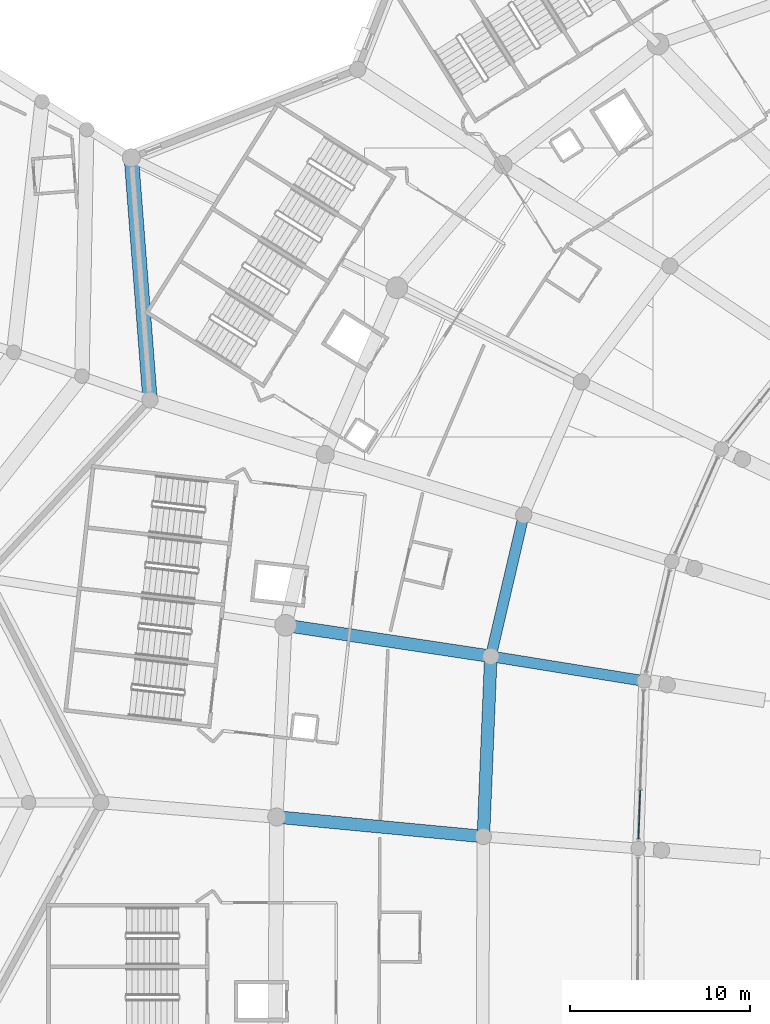
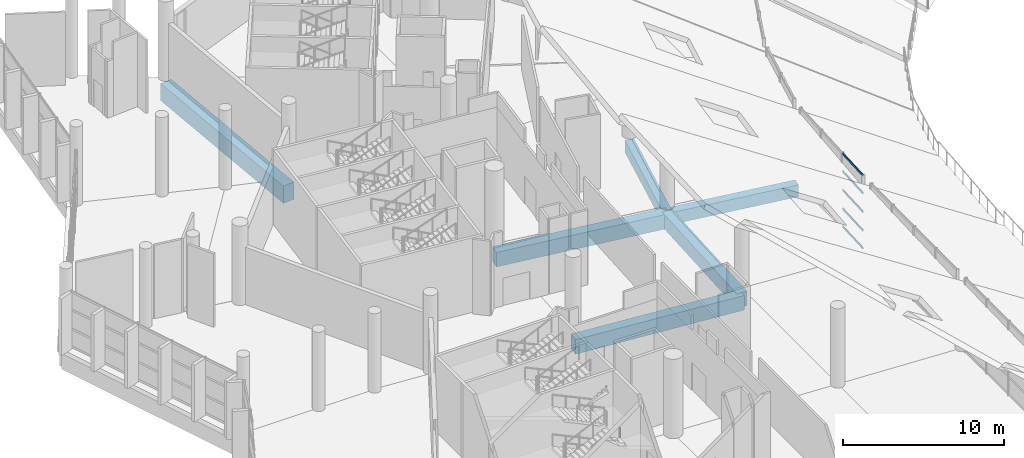
# One storey, part 59 of 249: 6 beams, 5 members, 1 element without a shape of its own.
"""IFC4 building model written with IfcOpenShell, lengths in metres."""

from ifc_helpers import new_model, si_unit, direction, frame, origin, origin_2d, place, context, subcontext, project, spatial, rectangle, extrude, material, layer, layer_set, material_profile, profile_set, type_object, element, aggregate, save


model = new_model("IFC4")

# Units and contexts
model_context = context("Model", 3, precision=1e-05, world=origin(), true_north=direction((0.0, 1.0)))
body_context = subcontext(model_context, "Body", "Model", "MODEL_VIEW")
ifc_project = project(units=[si_unit("LENGTHUNIT", "METRE"), si_unit("AREAUNIT", "SQUARE_METRE"), si_unit("VOLUMEUNIT", "CUBIC_METRE"), si_unit("PLANEANGLEUNIT", "RADIAN"), si_unit("MASSUNIT", "GRAM", prefix="KILO")], contexts=[model_context])

# Site, building, storey
site_placement = place(None, origin())
site = spatial("IfcSite", under=ifc_project, at=site_placement, CompositionType="ELEMENT")
building_placement = place(site_placement, origin())
building = spatial("IfcBuilding", under=site, at=building_placement, Name="Meseta Stadium", CompositionType="ELEMENT")
storey_placement = place(building_placement, frame((0.0, 0.0, 12.0)))
storey = spatial("IfcBuildingStorey", under=building, at=storey_placement, Name="L02", CompositionType="ELEMENT", Elevation=12.0)

# Curtain wall, members
ifc_material_1 = material(Name="Aluminium", Category="aluminium")
ifc_layer = layer(ifc_material_1, 0.199951171875)
ifc_layer_set = layer_set([ifc_layer], Name="Suite glazing curtain wall")
curtain_wall_type = type_object("IfcCurtainWallType", Name="Suite glazing curtain wall", PredefinedType="NOTDEFINED", material=ifc_layer_set)
curtain_wall_placement = place(storey_placement, origin())
curtain_wall = element("IfcCurtainWall", 1, at=curtain_wall_placement, inside=storey, type_object=curtain_wall_type, Name="Suite glazing bay 28", PredefinedType="NOTDEFINED")
ifc_material_2 = material(Name="Aluminium", Category="aluminium")
ifc_material_profile_1 = material_profile(ifc_material_2, rectangle(XDim=0.06005859375, YDim=0.14990234375, at=origin_2d()), Name="CW 60x150")
ifc_profile_set_1 = profile_set([ifc_material_profile_1], Name="Aluminium")
member_type = type_object("IfcMemberType", Name="CW transom 60x150", PredefinedType="USERDEFINED", material=ifc_profile_set_1)
member_1_placement = place(storey_placement, frame((-64.7158203125, 44.424560546875, 0.074951171875), z_axis=(-0.035392960757, -0.999373472896, 0.0), x_axis=(0.999373472896, -0.035392960757, 0.0)))
member_1 = element("IfcMember", 2, at=member_1_placement, type_object=member_type, Name="CWS transom 3.1", ObjectType="TRANSOM", PredefinedType="USERDEFINED", context=body_context, shape_type="SweptSolid", body=[
    extrude(rectangle(XDim=0.06005859375, YDim=0.14990234375, at=origin_2d()), origin(), (0.0, 0.0, 1.0), 2.683349609375),
])
member_2_placement = place(storey_placement, frame((-64.7158203125, 44.424560546875, 1.41259765625), z_axis=(-0.035392960757, -0.999373472896, 0.0), x_axis=(0.999373472896, -0.035392960757, 0.0)))
member_2 = element("IfcMember", 3, at=member_2_placement, type_object=member_type, Name="CWS transom 3.2", ObjectType="TRANSOM", PredefinedType="USERDEFINED", context=body_context, shape_type="SweptSolid", body=[
    extrude(rectangle(XDim=0.06005859375, YDim=0.14990234375, at=origin_2d()), origin(), (0.0, 0.0, 1.0), 2.683349609375),
])
member_3_placement = place(storey_placement, frame((-64.7158203125, 44.424560546875, 2.824951171875), z_axis=(-0.035392960757, -0.999373472896, 0.0), x_axis=(0.999373472896, -0.035392960757, 0.0)))
member_3 = element("IfcMember", 4, at=member_3_placement, type_object=member_type, Name="CWS transom 3.3", ObjectType="TRANSOM", PredefinedType="USERDEFINED", context=body_context, shape_type="SweptSolid", body=[
    extrude(rectangle(XDim=0.06005859375, YDim=0.14990234375, at=origin_2d()), origin(), (0.0, 0.0, 1.0), 2.683349609375),
])
member_4_placement = place(storey_placement, frame((-64.7158203125, 44.424560546875, 4.237548828125), z_axis=(-0.035392960757, -0.999373472896, 0.0), x_axis=(0.999373472896, -0.035392960757, 0.0)))
member_4 = element("IfcMember", 5, at=member_4_placement, type_object=member_type, Name="CWS transom 3.4", ObjectType="TRANSOM", PredefinedType="USERDEFINED", context=body_context, shape_type="SweptSolid", body=[
    extrude(rectangle(XDim=0.06005859375, YDim=0.14990234375, at=origin_2d()), origin(), (0.0, 0.0, 1.0), 2.683349609375),
])
member_5_placement = place(storey_placement, frame((-64.7158203125, 44.424560546875, 5.574951171875), z_axis=(-0.035392960757, -0.999373472896, 0.0), x_axis=(0.999373472896, -0.035392960757, 0.0)))
member_5 = element("IfcMember", 6, at=member_5_placement, type_object=member_type, Name="CWS transom 3.5", ObjectType="TRANSOM", PredefinedType="USERDEFINED", context=body_context, shape_type="SweptSolid", body=[
    extrude(rectangle(XDim=0.06005859375, YDim=0.14990234375, at=origin_2d()), origin(), (0.0, 0.0, 1.0), 2.683349609375),
])
aggregate(curtain_wall, [member_1, member_2, member_3, member_4, member_5])

# Beams
ifc_material_3 = material(Name="Concrete C40/50", Category="concrete")
ifc_material_profile_2 = material_profile(ifc_material_3, rectangle(XDim=0.60009765625, YDim=0.89990234375, at=origin_2d()), Name="RC 600x900")
ifc_profile_set_2 = profile_set([ifc_material_profile_2], Name="Concrete C40/50")
beam_type_1 = type_object("IfcBeamType", Name="RC beam 600x900", PredefinedType="BEAM", material=ifc_profile_set_2)
beam_1_placement = place(storey_placement, frame((-71.169677734375, 59.67724609375, -0.800048828125), z_axis=(-0.226697740265, -0.973965160855, 0.0), x_axis=(0.973965160855, -0.226697740265, 0.0)))
element("IfcBeam", 7, at=beam_1_placement, inside=storey, type_object=beam_type_1, Name="L02 ring beam frame 27 line E", PredefinedType="BEAM", context=body_context, shape_type="SweptSolid", body=[
    extrude(rectangle(XDim=0.60009765625, YDim=0.89990234375, at=origin_2d()), origin(), (0.0, 0.0, 1.0), 8.039306640625),
])
beam_2_placement = place(storey_placement, frame((-64.501708984375, 50.479736328125, -0.800048828125), z_axis=(-0.987277660392, 0.159005727229, 0.0), x_axis=(-0.159005727229, -0.987277660392, 0.0)))
element("IfcBeam", 8, at=beam_2_placement, inside=storey, type_object=beam_type_1, Name="L02 radial beam frame 28 line D to E", PredefinedType="BEAM", context=body_context, shape_type="SweptSolid", body=[
    extrude(rectangle(XDim=0.60009765625, YDim=0.89990234375, at=origin_2d()), origin(), (0.0, 0.0, 1.0), 8.599853515625),
])
ifc_material_4 = material(Name="Concrete C40/50", Category="concrete")
ifc_material_profile_3 = material_profile(ifc_material_4, rectangle(XDim=0.699951171875, YDim=1.10009765625, at=origin_2d()), Name="RC 700x1100")
ifc_profile_set_3 = profile_set([ifc_material_profile_3], Name="Concrete C40/50")
beam_type_2 = type_object("IfcBeamType", Name="RC beam 700x1100", PredefinedType="BEAM", material=ifc_profile_set_3)
beam_3_placement = place(storey_placement, frame((-72.9921875, 51.84716796875, -0.89990234375), z_axis=(-0.041287079546, -0.999147325004, 0.0), x_axis=(0.999147325004, -0.041287079546, 0.0)))
element("IfcBeam", 9, at=beam_3_placement, inside=storey, type_object=beam_type_2, Name="L02 ring beam frame 28 line E", PredefinedType="BEAM", context=body_context, shape_type="SweptSolid", body=[
    extrude(rectangle(XDim=0.699951171875, YDim=1.10009765625, at=origin_2d()), origin(), (0.0, 0.0, 1.0), 9.993408203125),
])
beam_4_placement = place(storey_placement, frame((-72.9921875, 51.84716796875, -0.89990234375), z_axis=(-0.988775073655, 0.149411692039, 0.0), x_axis=(-0.149411692039, -0.988775073655, 0.0)))
element("IfcBeam", 10, at=beam_4_placement, inside=storey, type_object=beam_type_2, Name="L02 radial beam frame 28 line E to P", PredefinedType="BEAM", context=body_context, shape_type="SweptSolid", body=[
    extrude(rectangle(XDim=0.699951171875, YDim=1.10009765625, at=origin_2d()), origin(), (0.0, 0.0, 1.0), 11.500244140625),
])
beam_5_placement = place(storey_placement, frame((-73.40478515625, 41.8623046875, -0.89990234375), z_axis=(-0.995530039578, 0.094445435561, 0.0), x_axis=(-0.094445435561, -0.995530039578, 0.0)))
element("IfcBeam", 11, at=beam_5_placement, inside=storey, type_object=beam_type_2, Name="L02 radial beam frame 29 line E to P", PredefinedType="BEAM", context=body_context, shape_type="SweptSolid", body=[
    extrude(rectangle(XDim=0.699951171875, YDim=1.10009765625, at=origin_2d()), origin(), (0.0, 0.0, 1.0), 11.500732421875),
])
ifc_material_5 = material(Name="Concrete C40/50", Category="concrete")
ifc_material_profile_4 = material_profile(ifc_material_5, rectangle(XDim=0.800048828125, YDim=1.300048828125, at=origin_2d()), Name="RC 800x1300")
ifc_profile_set_4 = profile_set([ifc_material_profile_4], Name="Concrete C40/50")
beam_type_3 = type_object("IfcBeamType", Name="RC beam 800x1300", PredefinedType="BEAM", material=ifc_profile_set_4)
beam_6_placement = place(storey_placement, frame((-92.908447265625, 79.474609375, -1.0), z_axis=(0.076925307894, -0.997036858399, 0.0), x_axis=(0.997036858399, 0.076925307894, 0.0)))
element("IfcBeam", 12, at=beam_6_placement, inside=storey, type_object=beam_type_3, Name="L02 ring beam frame 26 line R", PredefinedType="BEAM", context=body_context, shape_type="SweptSolid", body=[
    extrude(rectangle(XDim=0.800048828125, YDim=1.300048828125, at=origin_2d()), origin(), (0.0, 0.0, 1.0), 13.462890625),
])

save(model, "model.ifc")
